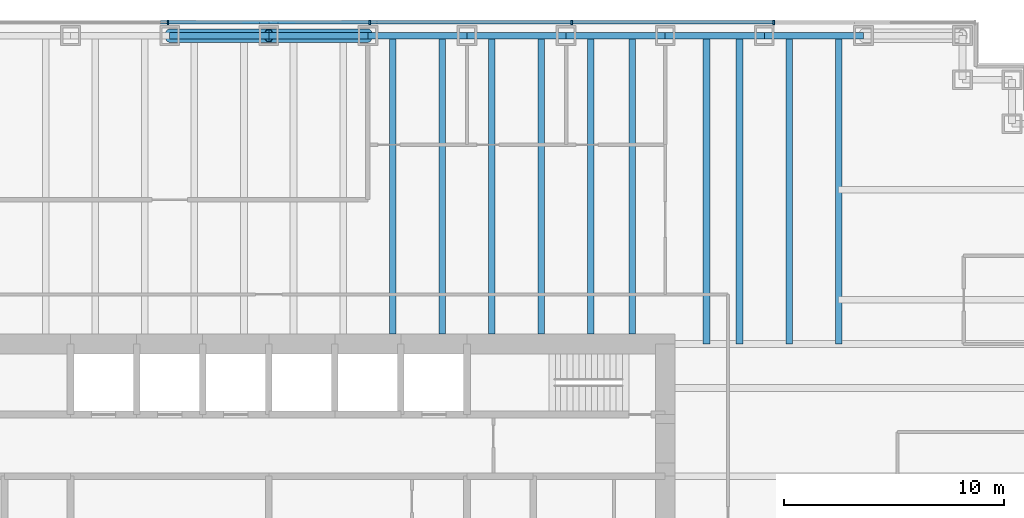
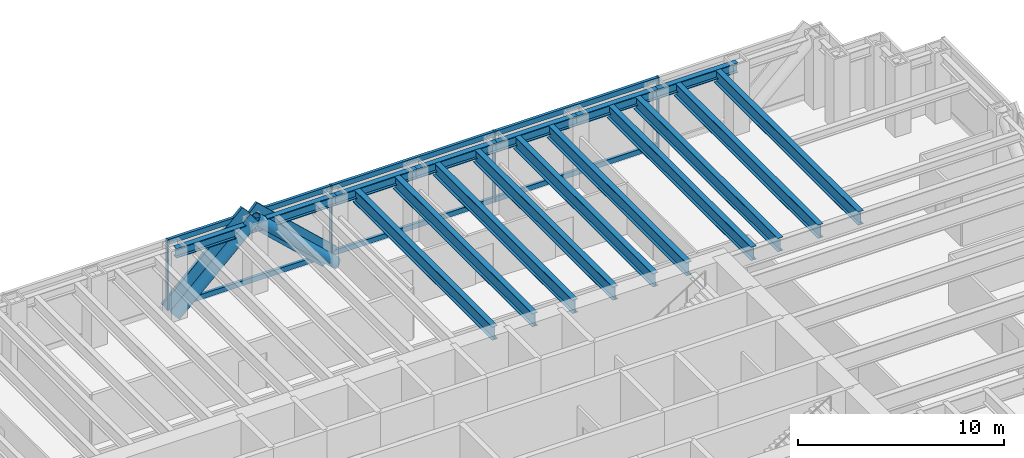
# One storey, part 7 of 15: 17 beams, 14 members, 1 element without a shape of its own.
"""IFC4 building model written with IfcOpenShell, lengths in metres."""

from ifc_helpers import new_model, si_unit, direction, frame, origin, origin_2d, place, context, subcontext, project, spatial, rectangle, hollow_circle, i_section, extrude, material, material_profile, profile_set, type_object, element, aggregate, save


model = new_model("IFC4")

# Units and contexts
model_context = context("Model", 3, precision=1e-05, world=origin(), true_north=direction((0.0, 1.0)))
body_context = subcontext(model_context, "Body", "Model", "MODEL_VIEW")
ifc_project = project(units=[si_unit("LENGTHUNIT", "METRE"), si_unit("AREAUNIT", "SQUARE_METRE"), si_unit("VOLUMEUNIT", "CUBIC_METRE"), si_unit("PLANEANGLEUNIT", "RADIAN"), si_unit("MASSUNIT", "GRAM", prefix="KILO")], contexts=[model_context])

# Site, building, storey
site_placement = place(None, origin())
site = spatial("IfcSite", under=ifc_project, at=site_placement, CompositionType="ELEMENT")
building_placement = place(site_placement, origin())
building = spatial("IfcBuilding", under=site, at=building_placement, Name="Rheinbord Bourse Tower", CompositionType="ELEMENT")
storey_placement = place(building_placement, frame((0.0, 0.0, 150.89990234375)))
storey = spatial("IfcBuildingStorey", under=building, at=storey_placement, Name="L33", CompositionType="ELEMENT", Elevation=150.89990234375)

# Curtain wall, members
ifc_material_1 = material(Name="Dark glass and black aluminium", Category="aluminium")
curtain_wall_type = type_object("IfcCurtainWallType", Name="CW2 DARK GLASS CURTAIN WALL", PredefinedType="USERDEFINED", material=ifc_material_1)
curtain_wall_placement = place(storey_placement, origin())
curtain_wall = element("IfcCurtainWall", 1, at=curtain_wall_placement, inside=storey, type_object=curtain_wall_type, Name="Curtain wall CW2 N L33", ObjectType="UNITISED CURTAIN WALL", PredefinedType="USERDEFINED")
ifc_material_2 = material(Name="Black anodised aluminium", Category="aluminium")
ifc_material_profile_1 = material_profile(ifc_material_2, rectangle(XDim=0.159912109375, YDim=1.2099609375, at=origin_2d()), Name="CW2 DIAGONAL MULLION 1210x160")
ifc_profile_set_1 = profile_set([ifc_material_profile_1], Name="Black anodised aluminium")
member_type_1 = type_object("IfcMemberType", Name="CW2 BLACK DIAGONAL MULLION", PredefinedType="USERDEFINED", material=ifc_profile_set_1)
member_1_placement = place(storey_placement, frame((31.5, 46.60009765625, 0.0), z_axis=(0.731039441158, 0.0, 0.682335207557), x_axis=(0.0, 1.0, 0.0)))
member_1 = element("IfcMember", 2, at=member_1_placement, type_object=member_type_1, Name="CW2 diagonal mullion a", ObjectType="DIAGONAL MULLION", PredefinedType="USERDEFINED", context=body_context, shape_type="SweptSolid", body=[
    extrude(rectangle(XDim=0.159912109375, YDim=1.2099609375, at=origin_2d()), origin(), (0.0, 0.0, 1.0), 6.155517578125),
])
member_2_placement = place(storey_placement, frame((40.5, 46.60009765625, 0.0), z_axis=(-0.731039441158, 0.0, 0.682335207557), x_axis=(0.0, -1.0, 0.0)))
member_2 = element("IfcMember", 3, at=member_2_placement, type_object=member_type_1, Name="CW2 diagonal mullion b", ObjectType="DIAGONAL MULLION", PredefinedType="USERDEFINED", context=body_context, shape_type="SweptSolid", body=[
    extrude(rectangle(XDim=0.159912109375, YDim=1.2099609375, at=origin_2d()), origin(), (0.0, 0.0, 1.0), 6.155517578125),
])
ifc_material_3 = material(Name="Black anodised aluminium", Category="aluminium")
ifc_material_profile_2 = material_profile(ifc_material_3, rectangle(XDim=0.219970703125, YDim=0.070068359375, at=origin_2d()), Name="CW2 MULLION 70x220")
ifc_profile_set_2 = profile_set([ifc_material_profile_2], Name="Black anodised aluminium")
member_type_2 = type_object("IfcMemberType", Name="CW2 BLACK MULLION", PredefinedType="MULLION", material=ifc_profile_set_2)
member_3_placement = place(storey_placement, frame((58.928466796875, 46.60009765625, 0.0), z_axis=(0.0, 0.0, 1.0), x_axis=(0.0, -1.0, 0.0)))
member_3 = element("IfcMember", 4, at=member_3_placement, type_object=member_type_2, Name="CW2 mullion 2", PredefinedType="MULLION", context=body_context, shape_type="SweptSolid", body=[
    extrude(rectangle(XDim=0.219970703125, YDim=0.070068359375, at=origin_2d()), origin(), (0.0, 0.0, 1.0), 4.2001953125),
])
member_4_placement = place(storey_placement, frame((49.757080078125, 46.60009765625, 0.0), z_axis=(0.0, 0.0, 1.0), x_axis=(0.0, -1.0, 0.0)))
member_4 = element("IfcMember", 5, at=member_4_placement, type_object=member_type_2, Name="CW2 mullion 3", PredefinedType="MULLION", context=body_context, shape_type="SweptSolid", body=[
    extrude(rectangle(XDim=0.219970703125, YDim=0.070068359375, at=origin_2d()), origin(), (0.0, 0.0, 1.0), 4.2001953125),
])
member_5_placement = place(storey_placement, frame((40.585693359375, 46.60009765625, 0.0), z_axis=(0.0, 0.0, 1.0), x_axis=(0.0, -1.0, 0.0)))
member_5 = element("IfcMember", 6, at=member_5_placement, type_object=member_type_2, Name="CW2 mullion 4", PredefinedType="MULLION", context=body_context, shape_type="SweptSolid", body=[
    extrude(rectangle(XDim=0.219970703125, YDim=0.070068359375, at=origin_2d()), origin(), (0.0, 0.0, 1.0), 4.2001953125),
])
member_6_placement = place(storey_placement, frame((31.414306640625, 46.60009765625, 0.0), z_axis=(0.0, 0.0, 1.0), x_axis=(0.0, -1.0, 0.0)))
member_6 = element("IfcMember", 7, at=member_6_placement, type_object=member_type_2, Name="CW2 mullion 5", PredefinedType="MULLION", context=body_context, shape_type="SweptSolid", body=[
    extrude(rectangle(XDim=0.219970703125, YDim=0.070068359375, at=origin_2d()), origin(), (0.0, 0.0, 1.0), 4.2001953125),
])
ifc_material_4 = material(Name="Black anodised aluminium", Category="aluminium")
ifc_material_profile_3 = material_profile(ifc_material_4, rectangle(XDim=0.159912109375, YDim=0.300048828125, at=origin_2d()), Name="CW2 TRANSOM 300x160")
ifc_profile_set_3 = profile_set([ifc_material_profile_3], Name="Black anodised aluminium")
member_type_3 = type_object("IfcMemberType", Name="CW2 BLACK TRANSOM", PredefinedType="USERDEFINED", material=ifc_profile_set_3)
member_7_placement = place(storey_placement, frame((58.8935546875, 46.60009765625, 0.150146484375), z_axis=(-1.0, 0.0, 0.0), x_axis=(0.0, -1.0, 0.0)))
member_7 = element("IfcMember", 8, at=member_7_placement, type_object=member_type_3, Name="CW2 transom 2.1", ObjectType="TRANSOM", PredefinedType="USERDEFINED", context=body_context, shape_type="SweptSolid", body=[
    extrude(rectangle(XDim=0.159912109375, YDim=0.300048828125, at=origin_2d()), origin(), (0.0, 0.0, 1.0), 9.101318359375),
])
member_8_placement = place(storey_placement, frame((58.8935546875, 46.60009765625, 4.050048828125), z_axis=(-1.0, 0.0, 0.0), x_axis=(0.0, -1.0, 0.0)))
member_8 = element("IfcMember", 9, at=member_8_placement, type_object=member_type_3, Name="CW2 transom 2.2", ObjectType="TRANSOM", PredefinedType="USERDEFINED", context=body_context, shape_type="SweptSolid", body=[
    extrude(rectangle(XDim=0.159912109375, YDim=0.300048828125, at=origin_2d()), origin(), (0.0, 0.0, 1.0), 9.101318359375),
])
member_9_placement = place(storey_placement, frame((49.72216796875, 46.60009765625, 0.150146484375), z_axis=(-1.0, 0.0, 0.0), x_axis=(0.0, -1.0, 0.0)))
member_9 = element("IfcMember", 10, at=member_9_placement, type_object=member_type_3, Name="CW2 transom 3.1", ObjectType="TRANSOM", PredefinedType="USERDEFINED", context=body_context, shape_type="SweptSolid", body=[
    extrude(rectangle(XDim=0.159912109375, YDim=0.300048828125, at=origin_2d()), origin(), (0.0, 0.0, 1.0), 9.1015625),
])
member_10_placement = place(storey_placement, frame((49.72216796875, 46.60009765625, 4.050048828125), z_axis=(-1.0, 0.0, 0.0), x_axis=(0.0, -1.0, 0.0)))
member_10 = element("IfcMember", 11, at=member_10_placement, type_object=member_type_3, Name="CW2 transom 3.2", ObjectType="TRANSOM", PredefinedType="USERDEFINED", context=body_context, shape_type="SweptSolid", body=[
    extrude(rectangle(XDim=0.159912109375, YDim=0.300048828125, at=origin_2d()), origin(), (0.0, 0.0, 1.0), 9.1015625),
])
member_11_placement = place(storey_placement, frame((40.55078125, 46.60009765625, 0.150146484375), z_axis=(-1.0, 0.0, 0.0), x_axis=(0.0, -1.0, 0.0)))
member_11 = element("IfcMember", 12, at=member_11_placement, type_object=member_type_3, Name="CW2 transom 4.1", ObjectType="TRANSOM", PredefinedType="USERDEFINED", context=body_context, shape_type="SweptSolid", body=[
    extrude(rectangle(XDim=0.159912109375, YDim=0.300048828125, at=origin_2d()), origin(), (0.0, 0.0, 1.0), 9.1015625),
])
member_12_placement = place(storey_placement, frame((40.55078125, 46.60009765625, 4.050048828125), z_axis=(-1.0, 0.0, 0.0), x_axis=(0.0, -1.0, 0.0)))
member_12 = element("IfcMember", 13, at=member_12_placement, type_object=member_type_3, Name="CW2 transom 4.2", ObjectType="TRANSOM", PredefinedType="USERDEFINED", context=body_context, shape_type="SweptSolid", body=[
    extrude(rectangle(XDim=0.159912109375, YDim=0.300048828125, at=origin_2d()), origin(), (0.0, 0.0, 1.0), 9.1015625),
])
aggregate(curtain_wall, [member_3, member_4, member_5, member_6, member_7, member_8, member_9, member_10, member_11, member_12, member_1, member_2])

# Beams
ifc_material_5 = material(Name="Steel S460", Category="steel")
ifc_material_profile_4 = material_profile(ifc_material_5, i_section(OverallWidth=0.300048828125, OverallDepth=0.800048828125, WebThickness=0.017578125, FlangeThickness=0.032958984375, at=origin_2d()), Name="HEB 800")
ifc_profile_set_4 = profile_set([ifc_material_profile_4], Name="Steel S460")
beam_type_1 = type_object("IfcBeamType", Name="FLOOR BEAM HEB 800", PredefinedType="BEAM", material=ifc_profile_set_4)
for number, where, z_axis, x_axis, name in (
    (14, (41.625, 46.0, 3.64013671875), (0.0, -1.0, 0.0), (1.0, 0.0, 0.0), "Floor beam N-40.5a L34"),
    (15, (43.875, 46.0, 3.64013671875), (0.0, -1.0, 0.0), (1.0, 0.0, 0.0), "Floor beam N-40.5b L34"),
    (16, (46.125, 46.0, 3.64013671875), (0.0, -1.0, 0.0), (1.0, 0.0, 0.0), "Floor beam N-45a L34"),
    (17, (48.375, 46.0, 3.64013671875), (0.0, -1.0, 0.0), (1.0, 0.0, 0.0), "Floor beam N-45b L34"),
    (18, (50.625, 46.0, 3.64013671875), (0.0, -1.0, 0.0), (1.0, 0.0, 0.0), "Floor beam N-49.5a L34"),
    (19, (52.5, 46.0, 3.64013671875), (0.0, -1.0, 0.0), (1.0, 0.0, 0.0), "Floor beam N-49.5b L34"),
):
    element("IfcBeam", number, at=place(storey_placement, frame(where, z_axis=z_axis, x_axis=x_axis)), inside=storey, type_object=beam_type_1, Name=name, PredefinedType="BEAM", context=body_context, shape_type="SweptSolid", body=[
        extrude(i_section(OverallWidth=0.300048828125, OverallDepth=0.800048828125, WebThickness=0.017578125, FlangeThickness=0.032958984375, at=origin_2d()), origin(), (0.0, 0.0, 1.0), 13.550048828125),
    ])
for number, where, z_axis, x_axis, name in (
    (20, (55.875, 46.0, 3.64013671875), (0.0, -1.0, 0.0), (1.0, 0.0, 0.0), "Floor beam N-54a L34"),
    (21, (57.375, 46.0, 3.64013671875), (0.0, -1.0, 0.0), (1.0, 0.0, 0.0), "Floor beam N-54b L34"),
    (22, (59.625, 46.0, 3.64013671875), (0.0, -1.0, 0.0), (1.0, 0.0, 0.0), "Floor beam N-58.5a L34"),
    (23, (61.875, 46.0, 3.64013671875), (0.0, -1.0, 0.0), (1.0, 0.0, 0.0), "Floor beam N-58.5b L34"),
):
    element("IfcBeam", number, at=place(storey_placement, frame(where, z_axis=z_axis, x_axis=x_axis)), inside=storey, type_object=beam_type_1, Name=name, PredefinedType="BEAM", context=body_context, shape_type="SweptSolid", body=[
        extrude(i_section(OverallWidth=0.300048828125, OverallDepth=0.800048828125, WebThickness=0.017578125, FlangeThickness=0.032958984375, at=origin_2d()), origin(), (0.0, 0.0, 1.0), 14.0),
    ])

# Members
ifc_material_6 = material(Name="Steel S460", Category="steel")
ifc_material_profile_5 = material_profile(ifc_material_6, hollow_circle(Radius=0.304931640625, WallThickness=0.0400390625, at=origin_2d()), Name="CHS 610x40")
ifc_profile_set_5 = profile_set([ifc_material_profile_5], Name="Steel S460")
member_type_4 = type_object("IfcMemberType", Name="MEGABRACE CHS 610x40", PredefinedType="BRACE", material=ifc_profile_set_5)
for number, where, z_axis, x_axis, name in (
    (24, (31.5, 46.0, 0.0), (0.731039441158, 0.0, 0.682335207557), (0.0, 1.0, 0.0), "Megabrace N face line a L33"),
    (25, (40.5, 46.0, 0.0), (-0.731039441158, 0.0, 0.682335207557), (0.0, -1.0, 0.0), "Megabrace N face line b L33"),
):
    element("IfcMember", number, at=place(storey_placement, frame(where, z_axis=z_axis, x_axis=x_axis)), inside=storey, type_object=member_type_4, Name=name, PredefinedType="BRACE", context=body_context, shape_type="SweptSolid", body=[
        extrude(hollow_circle(Radius=0.304931640625, WallThickness=0.0400390625, at=origin_2d()), origin(), (0.0, 0.0, 1.0), 6.155517578125),
    ])

# Beams
ifc_material_7 = material(Name="Steel S460", Category="steel")
ifc_material_profile_6 = material_profile(ifc_material_7, i_section(OverallWidth=0.305908203125, OverallDepth=0.572021484375, WebThickness=0.02099609375, FlangeThickness=0.0400390625, at=origin_2d()), Name="HEM 550")
ifc_profile_set_6 = profile_set([ifc_material_profile_6], Name="Steel S460")
beam_type_2 = type_object("IfcBeamType", Name="SPANDREL HEM 550", PredefinedType="SPANDREL", material=ifc_profile_set_6)
for number, where, z_axis, x_axis, name in (
    (26, (63.0, 46.0, 3.754150390625), (-1.0, 0.0, 0.0), (0.0, -1.0, 0.0), "Spandrel N-63-N-58.5 under L34"),
    (27, (58.5, 46.0, 3.754150390625), (-1.0, 0.0, 0.0), (0.0, -1.0, 0.0), "Spandrel N-58.5-N-54 under L34"),
    (28, (54.0, 46.0, 3.754150390625), (-1.0, 0.0, 0.0), (0.0, -1.0, 0.0), "Spandrel N-54-N-49.5 under L34"),
    (29, (49.5, 46.0, 3.754150390625), (-1.0, 0.0, 0.0), (0.0, -1.0, 0.0), "Spandrel N-49.5-N-45 under L34"),
    (30, (45.0, 46.0, 3.754150390625), (-1.0, 0.0, 0.0), (0.0, -1.0, 0.0), "Spandrel N-45-N-40.5 under L34"),
    (31, (40.5, 46.0, 3.754150390625), (-1.0, 0.0, 0.0), (0.0, -1.0, 0.0), "Spandrel N-40.5-N-36 under L34"),
    (32, (36.0, 46.0, 3.754150390625), (-1.0, 0.0, 0.0), (0.0, -1.0, 0.0), "Spandrel N-36-N-31.5 under L34"),
):
    element("IfcBeam", number, at=place(storey_placement, frame(where, z_axis=z_axis, x_axis=x_axis)), inside=storey, type_object=beam_type_2, Name=name, PredefinedType="SPANDREL", context=body_context, shape_type="SweptSolid", body=[
        extrude(i_section(OverallWidth=0.305908203125, OverallDepth=0.572021484375, WebThickness=0.02099609375, FlangeThickness=0.0400390625, at=origin_2d()), origin(), (0.0, 0.0, 1.0), 4.5),
    ])

save(model, "model.ifc")
